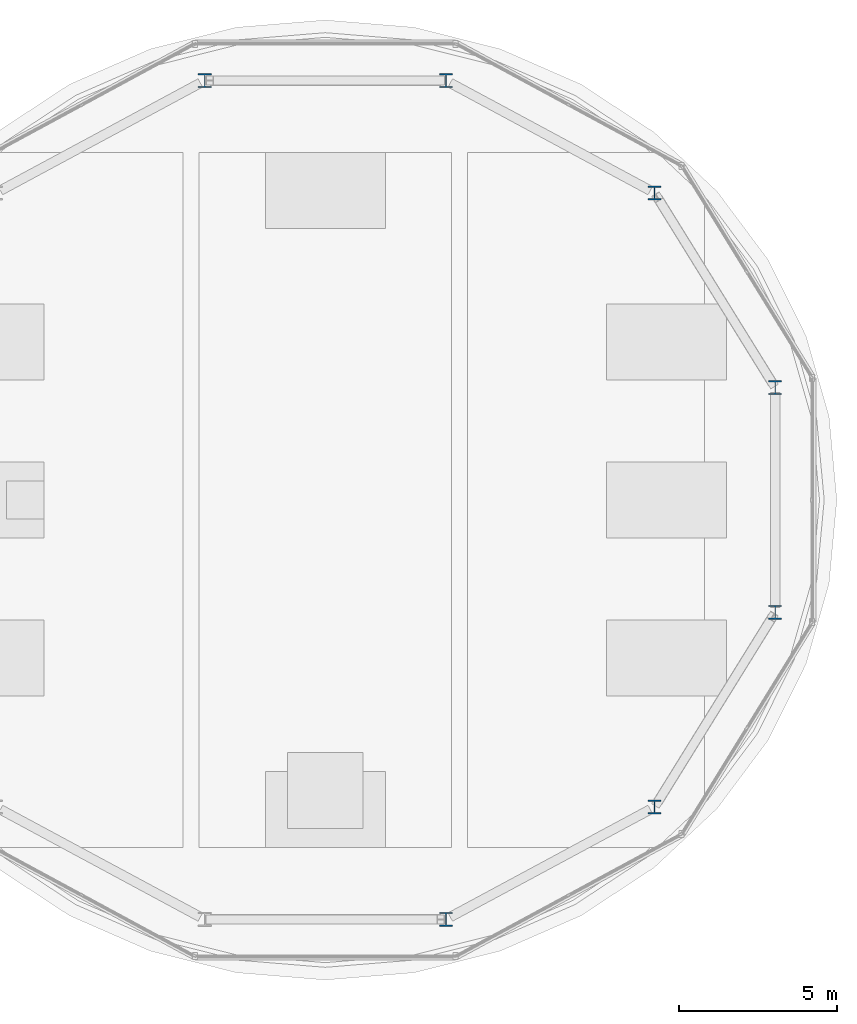
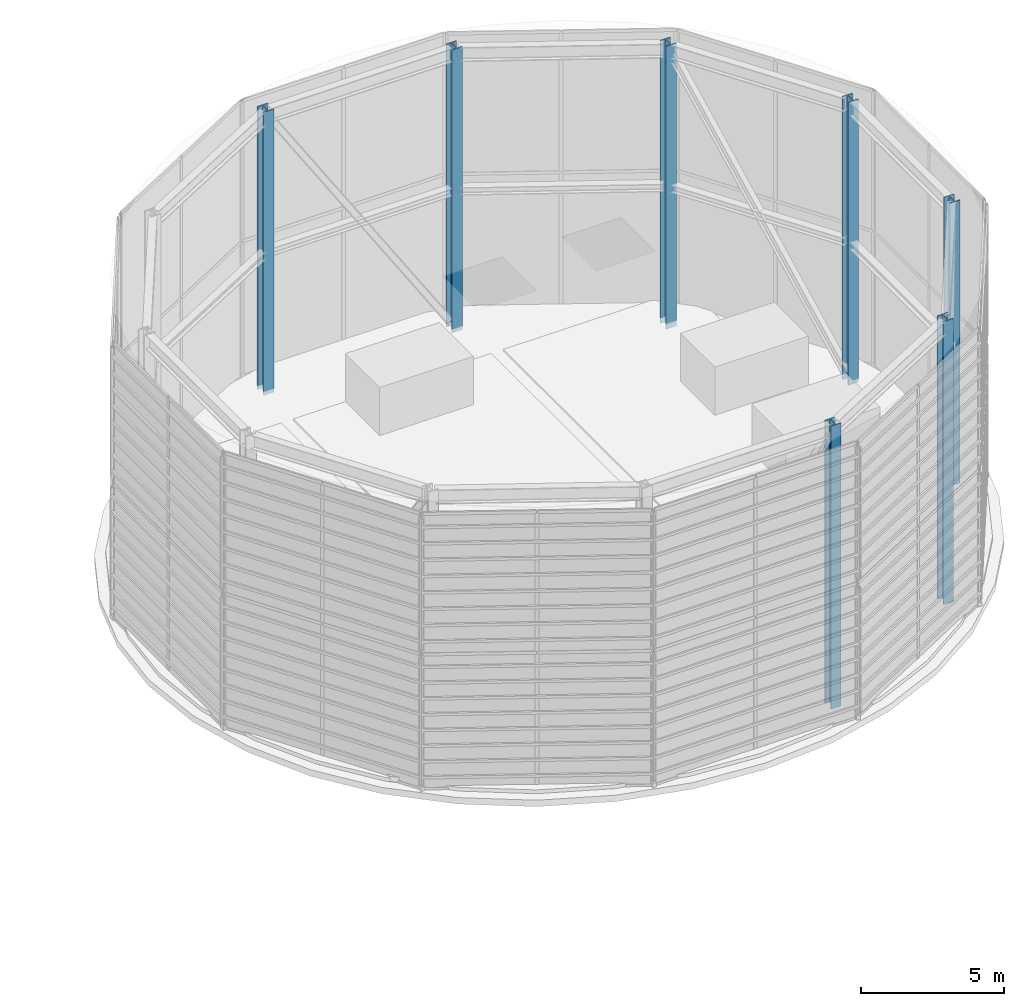
# One storey, part 2 of 17: 7 columns.
"""IFC4 building model written with IfcOpenShell, lengths in metres."""

import ifcopenshell
import ifcopenshell.guid

model = None  # the IFC model being written
_history = None  # IfcOwnerHistory: only IFC2X3 demands one
_inside = {}  # id of a spatial element -> (the spatial element, [elements in it])
_under = {}  # id of a project, library or spatial element -> (it, [spatial elements below it])
_declared = {}  # id of a project -> (the project, [libraries it declares])
_typed = {}  # id of a type object -> (the type object, [elements of that type])
_made_of = {}  # id of a material, layer set ... -> (it, [elements and type objects made of it])


def new_model(schema):
    """Start an empty IFC model of exactly this schema.

    Asked for "IFC4X3", IfcOpenShell would pick the latest addendum, in which some entities
    have other attributes; the version numbers below select the first issue.
    IFC2X3 requires an IfcOwnerHistory on every rooted entity: one is made here for all.
    """
    global model, _history
    if schema == "IFC4X3":
        model = ifcopenshell.file(schema_version=(4, 3, 0, 0))
    else:
        model = ifcopenshell.file(schema=schema)
    _inside.clear()
    _under.clear()
    _declared.clear()
    _typed.clear()
    _made_of.clear()
    _history = None
    if model.schema == "IFC2X3":
        org = make("IfcOrganization", Name="unknown")
        user = make(
            "IfcPersonAndOrganization",
            ThePerson=make("IfcPerson", FamilyName="unknown"),
            TheOrganization=org,
        )
        app = make(
            "IfcApplication",
            ApplicationDeveloper=org,
            Version="unknown",
            ApplicationFullName="unknown",
            ApplicationIdentifier="unknown",
        )
        _history = make(
            "IfcOwnerHistory",
            OwningUser=user,
            OwningApplication=app,
            ChangeAction="ADDED",
            CreationDate=0,
        )
    return model


def make(cls, **values):
    """One entity of the class cls with the attributes given. An attribute that is None is left unset."""
    return model.create_entity(
        cls, **{name: value for name, value in values.items() if value is not None}
    )


def rooted(cls, **values):
    """An entity with a GlobalId (a new one), such as an element, a storey or a relation."""
    return make(cls, GlobalId=ifcopenshell.guid.new(), OwnerHistory=_history, **values)


def si_unit(unit_type, name, prefix=None):
    """IfcSIUnit, for example si_unit("LENGTHUNIT", "METRE", prefix="MILLI")."""
    return make("IfcSIUnit", UnitType=unit_type, Prefix=prefix, Name=name)


def assignment(units):
    """IfcUnitAssignment: the units of a project."""
    return None if units is None else make("IfcUnitAssignment", Units=units)


def point(xyz):
    """IfcCartesianPoint."""
    return None if xyz is None else make("IfcCartesianPoint", Coordinates=xyz)


def direction(xyz):
    """IfcDirection."""
    return None if xyz is None else make("IfcDirection", DirectionRatios=xyz)


def frame(location, z_axis=None, x_axis=None):
    """IfcAxis2Placement3D, a coordinate frame: its origin and axes. An axis left out is left unset."""
    return make(
        "IfcAxis2Placement3D",
        Location=point(location),
        Axis=direction(z_axis),
        RefDirection=direction(x_axis),
    )


def frame_2d(location, x_axis=None):
    """IfcAxis2Placement2D, a coordinate frame in the plane: its origin and x axis."""
    return make(
        "IfcAxis2Placement2D", Location=point(location), RefDirection=direction(x_axis)
    )


def origin():
    """The frame at (0, 0, 0) with its axes left unset."""
    return frame((0.0, 0.0, 0.0))


def origin_2d():
    """The frame at (0, 0) in the plane with its x axis left unset."""
    return frame_2d((0.0, 0.0))


def place(relative_to, where):
    """IfcLocalPlacement: puts the frame where relative to a parent placement (None: the world)."""
    return make(
        "IfcLocalPlacement", PlacementRelTo=relative_to, RelativePlacement=where
    )


def context(
    kind, dimensions, precision=None, world=None, true_north=None, identifier=None
):
    """IfcGeometricRepresentationContext, for example the 3D "Model" context."""
    return make(
        "IfcGeometricRepresentationContext",
        ContextIdentifier=identifier,
        ContextType=kind,
        CoordinateSpaceDimension=dimensions,
        Precision=precision,
        WorldCoordinateSystem=world,
        TrueNorth=true_north,
    )


def subcontext(parent, identifier, kind, view, scale=None):
    """IfcGeometricRepresentationSubContext, for example "Body" below "Model"."""
    return make(
        "IfcGeometricRepresentationSubContext",
        ContextIdentifier=identifier,
        ContextType=kind,
        ParentContext=parent,
        TargetScale=scale,
        TargetView=view,
    )


def project(units=None, contexts=None):
    """IfcProject with its units and contexts."""
    return rooted(
        "IfcProject",
        Name="project",
        RepresentationContexts=contexts,
        UnitsInContext=assignment(units),
    )


def spatial(cls, under=None, at=None, **own):
    """A site, building, storey or space (cls), placed at a placement, below another one or the project."""
    s = rooted(cls, ObjectPlacement=at, **own)
    if under is not None:
        _under.setdefault(under.id(), (under, []))[1].append(s)
    return s


def profile(cls, at=None, kind="AREA", **sizes):
    """A parametric profile (cls). Its sizes go by their IFC names, for example OverallWidth=200.0."""
    return make(cls, ProfileType=kind, Position=at, **sizes)


def i_section(**sizes):
    """IfcIShapeProfileDef."""
    return profile("IfcIShapeProfileDef", **sizes)


def extrude(swept, where, along, depth):
    """IfcExtrudedAreaSolid: the profile swept, set in the frame where, extruded along a direction by depth."""
    return make(
        "IfcExtrudedAreaSolid",
        SweptArea=swept,
        Position=where,
        ExtrudedDirection=direction(along),
        Depth=depth,
    )


def shape(context_of_items, identifier, shape_type, items):
    """IfcShapeRepresentation: the items that make up one representation, for example the "Body"."""
    return make(
        "IfcShapeRepresentation",
        ContextOfItems=context_of_items,
        RepresentationIdentifier=identifier,
        RepresentationType=shape_type,
        Items=items,
    )


def source(mapping_origin, context_of_items, identifier, shape_type, items):
    """IfcRepresentationMap: a shape defined once, which mapped items show again and again."""
    return make(
        "IfcRepresentationMap",
        MappingOrigin=mapping_origin,
        MappedRepresentation=shape(context_of_items, identifier, shape_type, items),
    )


def transform(
    local_origin,
    x_axis=None,
    y_axis=None,
    z_axis=None,
    scale=None,
    scale2=None,
    scale3=None,
    uniform=True,
):
    """IfcCartesianTransformationOperator3D, or its non-uniform kind. x_axis, y_axis, z_axis: its Axis1, 2, 3."""
    if uniform:
        return make(
            "IfcCartesianTransformationOperator3D",
            Axis1=direction(x_axis),
            Axis2=direction(y_axis),
            LocalOrigin=point(local_origin),
            Scale=scale,
            Axis3=direction(z_axis),
        )
    return make(
        "IfcCartesianTransformationOperator3DnonUniform",
        Axis1=direction(x_axis),
        Axis2=direction(y_axis),
        LocalOrigin=point(local_origin),
        Scale=scale,
        Axis3=direction(z_axis),
        Scale2=scale2,
        Scale3=scale3,
    )


def mapped(mapping_source, mapping_target):
    """IfcMappedItem: shows the shape of a source again, moved by a transform."""
    return make(
        "IfcMappedItem", MappingSource=mapping_source, MappingTarget=mapping_target
    )


def material(Name=None, Category=None):
    """IfcMaterial."""
    return make("IfcMaterial", Name=Name, Category=Category)


def material_profile(
    of_material, cross_section, Name=None, Category=None, Priority=None
):
    """IfcMaterialProfile: a cross section and its material."""
    return make(
        "IfcMaterialProfile",
        Name=Name,
        Material=of_material,
        Profile=cross_section,
        Priority=Priority,
        Category=Category,
    )


def profile_set(profiles, Name=None, composite=None):
    """IfcMaterialProfileSet."""
    return make(
        "IfcMaterialProfileSet",
        Name=Name,
        MaterialProfiles=profiles,
        CompositeProfile=composite,
    )


def made_of(thing, what):
    """Note that an element or type object is made of a material, layer set ...; save() writes the relation."""
    if what is not None:
        _made_of.setdefault(what.id(), (what, []))[1].append(thing)
    return thing


def type_object(cls, material=None, **own):
    """A type object (cls), such as IfcWallType, which elements share."""
    return made_of(rooted(cls, **own), material)


def type_shapes(of_type, sources):
    """Give a type object the sources (RepresentationMaps) that its elements show as mapped items."""
    of_type.RepresentationMaps = sources


def element(
    cls,
    number,
    at=None,
    inside=None,
    cuts=None,
    type_object=None,
    material=None,
    context=None,
    identifier="Body",
    shape_type=None,
    held_by="IfcProductDefinitionShape",
    body=None,
    shapes=None,
    **own,
):
    """One element of the class cls, such as IfcWall. Its Tag is "e" and its number.

    at: its placement. inside: the storey or other place that contains it. cuts: it is an
    opening in that element (IfcRelVoidsElement). A single representation is given by context,
    identifier, shape_type and body (its items); several are given by shapes. held_by: the class
    of the entity that holds the representations. save() writes the other relations.
    """
    e = rooted(cls, Tag="e%d" % number, ObjectPlacement=at, **own)
    if body is not None:
        shapes = [shape(context, identifier, shape_type, body)]
    if shapes is not None:
        e.Representation = make(held_by, Representations=shapes)
    if inside is not None:
        _inside.setdefault(inside.id(), (inside, []))[1].append(e)
    if cuts is not None:
        rooted(
            "IfcRelVoidsElement", RelatingBuildingElement=cuts, RelatedOpeningElement=e
        )
    if type_object is not None:
        _typed.setdefault(type_object.id(), (type_object, []))[1].append(e)
    return made_of(e, material)


def aggregate(whole, parts):
    """IfcRelAggregates: a whole, such as a stair, and the parts it consists of."""
    return rooted("IfcRelAggregates", RelatingObject=whole, RelatedObjects=parts)


def save(model, path):
    """Write the relations noted so far, then the file.

    IfcRelAggregates (storeys below a building ...), IfcRelContainedInSpatialStructure (elements
    in a storey), IfcRelDefinesByType, IfcRelAssociatesMaterial and IfcRelDeclares: one each for
    every whole, place, type object, material and project.
    """
    for whole, parts in _under.values():
        aggregate(whole, parts)
    for where, things in _inside.values():
        rooted(
            "IfcRelContainedInSpatialStructure",
            RelatedElements=things,
            RelatingStructure=where,
        )
    for kind, things in _typed.values():
        rooted("IfcRelDefinesByType", RelatedObjects=things, RelatingType=kind)
    for what, things in _made_of.values():
        rooted("IfcRelAssociatesMaterial", RelatedObjects=things, RelatingMaterial=what)
    for by, libraries in _declared.values():
        rooted("IfcRelDeclares", RelatingContext=by, RelatedDefinitions=libraries)
    model.write(path)


model = new_model("IFC4")

# Units and contexts
model_context = context("Model", 3, precision=1e-05, world=origin(), true_north=direction((0.0, 1.0)))
body_context = subcontext(model_context, "Body", "Model", "MODEL_VIEW")
ifc_project = project(units=[si_unit("LENGTHUNIT", "METRE"), si_unit("AREAUNIT", "SQUARE_METRE"), si_unit("VOLUMEUNIT", "CUBIC_METRE"), si_unit("PLANEANGLEUNIT", "RADIAN"), si_unit("MASSUNIT", "GRAM", prefix="KILO")], contexts=[model_context])

# Site, building, storey
site_placement = place(None, origin())
site = spatial("IfcSite", under=ifc_project, at=site_placement, CompositionType="ELEMENT")
building_placement = place(site_placement, origin())
building = spatial("IfcBuilding", under=site, at=building_placement, Name="Norrkilde Senior Care Towers", CompositionType="ELEMENT")
storey_placement = place(building_placement, frame((0.0, 0.0, 249.85009765625)))
storey = spatial("IfcBuildingStorey", under=building, at=storey_placement, Name="RF", CompositionType="ELEMENT", Elevation=249.85009765625)

# Columns
ifc_material = material(Name="Steel S355", Category="steel")
ifc_material_profile = material_profile(ifc_material, i_section(OverallWidth=0.412109375, OverallDepth=0.449951171875, WebThickness=0.028076171875, FlangeThickness=0.044921875, FilletRadius=0.014892578125, at=origin_2d()), Name="HD 400x509")
ifc_profile_set = profile_set([ifc_material_profile], Name="Steel S355")
column_type = type_object("IfcColumnType", Name="Column Crown Frame Post", PredefinedType="COLUMN", material=ifc_profile_set)
shared_shape = source(origin(), body_context, "Body", "SweptSolid", [
    extrude(i_section(OverallWidth=0.412109375, OverallDepth=0.449951171875, WebThickness=0.028076171875, FlangeThickness=0.044921875, FilletRadius=0.014892578125, at=origin_2d()), origin(), (0.0, 0.0, 1.0), 12.10986328125),
])
type_shapes(column_type, [shared_shape])
for number, where, z_axis, x_axis, name in (
    (1, (42.247314453125, 3.558837890625, 0.0), (0.0, 0.0, 1.0), (1.0, 0.0, 0.0), "RF Drum E Crown Ring Post 01 CROWN FRAME"),
    (2, (38.429931640625, 9.72265625, 0.0), (0.0, 0.0, 1.0), (1.0, 0.0, 0.0), "RF Drum E Crown Ring Post 02 CROWN FRAME"),
    (3, (31.817626953125, 13.281494140625, 0.0), (0.0, 0.0, 1.0), (1.0, 0.0, 0.0), "RF Drum E Crown Ring Post 03 CROWN FRAME"),
    (4, (24.182373046875, 13.281494140625, 0.0), (0.0, 0.0, 1.0), (1.0, 0.0, 0.0), "RF Drum E Crown Ring Post 04 CROWN FRAME"),
    (5, (31.817626953125, -13.281494140625, 0.0), (0.0, 0.0, 1.0), (1.0, 0.0, 0.0), "RF Drum E Crown Ring Post 10 CROWN FRAME"),
    (6, (38.429931640625, -9.72265625, 0.0), (0.0, 0.0, 1.0), (1.0, 0.0, 0.0), "RF Drum E Crown Ring Post 11 CROWN FRAME"),
    (7, (42.247314453125, -3.558837890625, 0.0), (0.0, 0.0, 1.0), (1.0, 0.0, 0.0), "RF Drum E Crown Ring Post 12 CROWN FRAME"),
):
    element("IfcColumn", number, at=place(storey_placement, frame(where, z_axis=z_axis, x_axis=x_axis)), inside=storey, type_object=column_type, Name=name, PredefinedType="COLUMN", context=body_context, shape_type="MappedRepresentation", body=[
        mapped(shared_shape, transform((0.0, 0.0, 0.0), x_axis=(1.0, 0.0, 0.0), y_axis=(0.0, 1.0, 0.0), z_axis=(0.0, 0.0, 1.0), scale=1.0)),
    ])

save(model, "model.ifc")
